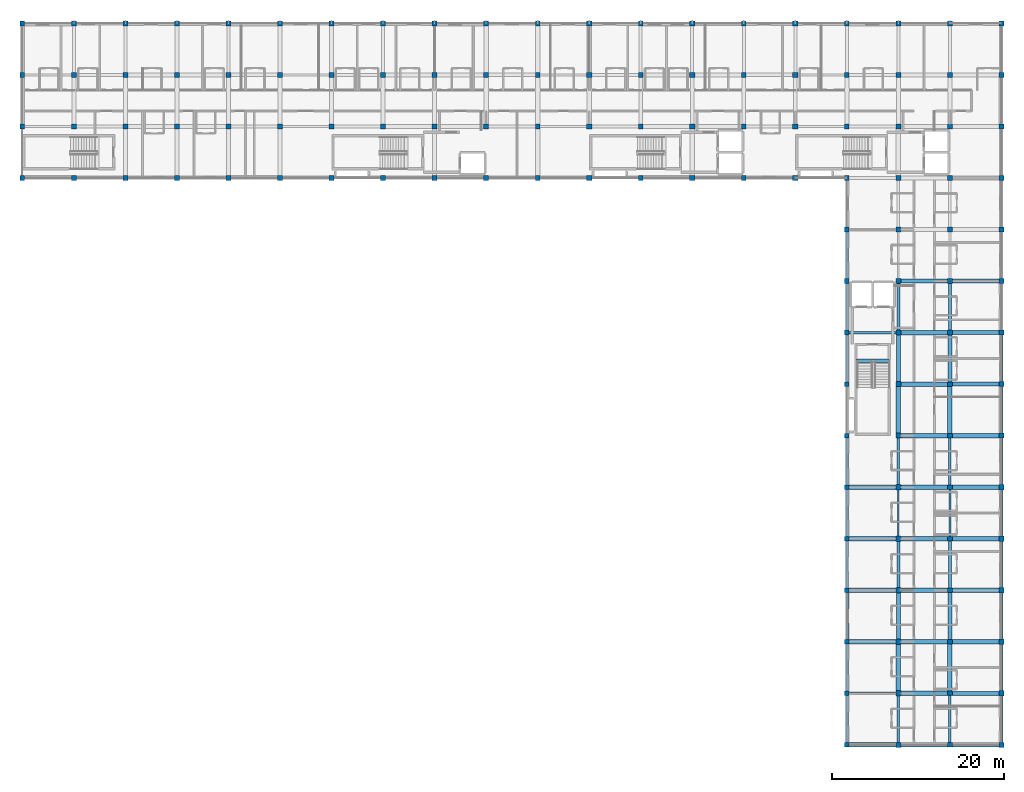
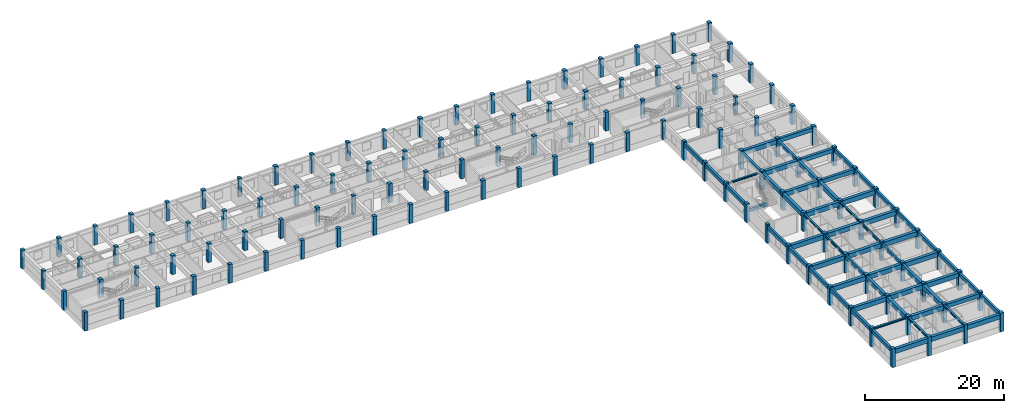
# One storey, part 1 of 22: 124 columns, 63 beams.
"""IFC4 building model written with IfcOpenShell, lengths in metres."""

from ifc_helpers import new_model, si_unit, direction, frame, origin, origin_2d, place, context, subcontext, project, spatial, rectangle, i_section, extrude, material, material_profile, profile_set, type_object, element, save


model = new_model("IFC4")

# Units and contexts
model_context = context("Model", 3, precision=1e-05, world=origin(), true_north=direction((0.0, 1.0)))
body_context = subcontext(model_context, "Body", "Model", "MODEL_VIEW")
ifc_project = project(units=[si_unit("LENGTHUNIT", "METRE"), si_unit("AREAUNIT", "SQUARE_METRE"), si_unit("VOLUMEUNIT", "CUBIC_METRE"), si_unit("PLANEANGLEUNIT", "RADIAN"), si_unit("MASSUNIT", "GRAM", prefix="KILO"), si_unit("THERMODYNAMICTEMPERATUREUNIT", "KELVIN"), si_unit("POWERUNIT", "WATT")], contexts=[model_context])

# Site, building, storey
site_placement = place(None, origin())
site = spatial("IfcSite", under=ifc_project, at=site_placement, CompositionType="ELEMENT")
building_placement = place(site_placement, origin())
building = spatial("IfcBuilding", under=site, at=building_placement, Name="Phaisarnlok Congress Hotel", CompositionType="ELEMENT")
storey_placement = place(building_placement, frame((0.0, 0.0, 28.199951171875)))
storey = spatial("IfcBuildingStorey", under=building, at=storey_placement, Name="L06", CompositionType="ELEMENT", Elevation=28.199951171875)

# Columns
ifc_material_1 = material(Name="Concrete C50/60", Category="concrete")
ifc_material_profile_1 = material_profile(ifc_material_1, rectangle(XDim=0.550048828125, YDim=0.550048828125, at=origin_2d()), Name="RC 550x550")
ifc_profile_set_1 = profile_set([ifc_material_profile_1], Name="Concrete C50/60")
column_type_1 = type_object("IfcColumnType", Name="COL-RC-550", PredefinedType="COLUMN", material=ifc_profile_set_1)
for number, where, z_axis, x_axis, name in (
    (1, (66.0, 108.0, 0.0), (0.0, 0.0, 1.0), (1.0, 0.0, 0.0), "Column C-02 (L06)"),
    (2, (66.0, 114.0, 0.0), (0.0, 0.0, 1.0), (1.0, 0.0, 0.0), "Column C-02 (L06)"),
    (3, (66.0, 120.0, 0.0), (0.0, 0.0, 1.0), (1.0, 0.0, 0.0), "Column C-02 (L06)"),
    (4, (78.0, 108.0, 0.0), (0.0, 0.0, 1.0), (1.0, 0.0, 0.0), "Column C-02 (L06)"),
    (5, (78.0, 114.0, 0.0), (0.0, 0.0, 1.0), (1.0, 0.0, 0.0), "Column C-02 (L06)"),
    (6, (78.0, 120.0, 0.0), (0.0, 0.0, 1.0), (1.0, 0.0, 0.0), "Column C-02 (L06)"),
    (7, (90.0, 108.0, 0.0), (0.0, 0.0, 1.0), (1.0, 0.0, 0.0), "Column C-02 (L06)"),
    (8, (90.0, 114.0, 0.0), (0.0, 0.0, 1.0), (1.0, 0.0, 0.0), "Column C-02 (L06)"),
    (9, (90.0, 120.0, 0.0), (0.0, 0.0, 1.0), (1.0, 0.0, 0.0), "Column C-02 (L06)"),
    (10, (102.0, 108.0, 0.0), (0.0, 0.0, 1.0), (1.0, 0.0, 0.0), "Column C-02 (L06)"),
    (11, (102.0, 114.0, 0.0), (0.0, 0.0, 1.0), (1.0, 0.0, 0.0), "Column C-02 (L06)"),
    (12, (102.0, 120.0, 0.0), (0.0, 0.0, 1.0), (1.0, 0.0, 0.0), "Column C-02 (L06)"),
    (13, (114.0, 108.0, 0.0), (0.0, 0.0, 1.0), (1.0, 0.0, 0.0), "Column C-02 (L06)"),
    (14, (114.0, 114.0, 0.0), (0.0, 0.0, 1.0), (1.0, 0.0, 0.0), "Column C-02 (L06)"),
    (15, (114.0, 120.0, 0.0), (0.0, 0.0, 1.0), (1.0, 0.0, 0.0), "Column C-02 (L06)"),
    (16, (126.0, 108.0, 0.0), (0.0, 0.0, 1.0), (1.0, 0.0, 0.0), "Column C-02 (L06)"),
    (17, (126.0, 114.0, 0.0), (0.0, 0.0, 1.0), (1.0, 0.0, 0.0), "Column C-02 (L06)"),
    (18, (126.0, 120.0, 0.0), (0.0, 0.0, 1.0), (1.0, 0.0, 0.0), "Column C-02 (L06)"),
    (19, (138.0, 108.0, 0.0), (0.0, 0.0, 1.0), (1.0, 0.0, 0.0), "Column C-02 (L06)"),
    (20, (138.0, 114.0, 0.0), (0.0, 0.0, 1.0), (1.0, 0.0, 0.0), "Column C-02 (L06)"),
    (21, (138.0, 120.0, 0.0), (0.0, 0.0, 1.0), (1.0, 0.0, 0.0), "Column C-02 (L06)"),
    (22, (150.0, 108.0, 0.0), (0.0, 0.0, 1.0), (1.0, 0.0, 0.0), "Column C-02 (L06)"),
    (23, (150.0, 114.0, 0.0), (0.0, 0.0, 1.0), (1.0, 0.0, 0.0), "Column C-02 (L06)"),
    (24, (150.0, 120.0, 0.0), (0.0, 0.0, 1.0), (1.0, 0.0, 0.0), "Column C-02 (L06)"),
    (25, (162.0, 42.0, 0.0), (0.0, 0.0, 1.0), (1.0, 0.0, 0.0), "Column C-02 (L06)"),
    (26, (162.0, 48.0, 0.0), (0.0, 0.0, 1.0), (1.0, 0.0, 0.0), "Column C-02 (L06)"),
    (27, (162.0, 54.0, 0.0), (0.0, 0.0, 1.0), (1.0, 0.0, 0.0), "Column C-02 (L06)"),
    (28, (162.0, 60.0, 0.0), (0.0, 0.0, 1.0), (1.0, 0.0, 0.0), "Column C-02 (L06)"),
    (29, (162.0, 66.0, 0.0), (0.0, 0.0, 1.0), (1.0, 0.0, 0.0), "Column C-02 (L06)"),
    (30, (162.0, 72.0, 0.0), (0.0, 0.0, 1.0), (1.0, 0.0, 0.0), "Column C-02 (L06)"),
    (31, (162.0, 78.0, 0.0), (0.0, 0.0, 1.0), (1.0, 0.0, 0.0), "Column C-02 (L06)"),
    (32, (162.0, 84.0, 0.0), (0.0, 0.0, 1.0), (1.0, 0.0, 0.0), "Column C-02 (L06)"),
    (33, (162.0, 90.0, 0.0), (0.0, 0.0, 1.0), (1.0, 0.0, 0.0), "Column C-02 (L06)"),
    (34, (162.0, 96.0, 0.0), (0.0, 0.0, 1.0), (1.0, 0.0, 0.0), "Column C-02 (L06)"),
    (35, (162.0, 102.0, 0.0), (0.0, 0.0, 1.0), (1.0, 0.0, 0.0), "Column C-02 (L06)"),
    (36, (162.0, 108.0, 0.0), (0.0, 0.0, 1.0), (1.0, 0.0, 0.0), "Column C-02 (L06)"),
    (37, (162.0, 114.0, 0.0), (0.0, 0.0, 1.0), (1.0, 0.0, 0.0), "Column C-02 (L06)"),
    (38, (162.0, 120.0, 0.0), (0.0, 0.0, 1.0), (1.0, 0.0, 0.0), "Column C-02 (L06)"),
    (39, (174.0, 42.0, 0.0), (0.0, 0.0, 1.0), (1.0, 0.0, 0.0), "Column C-02 (L06)"),
    (40, (174.0, 48.0, 0.0), (0.0, 0.0, 1.0), (1.0, 0.0, 0.0), "Column C-02 (L06)"),
    (41, (174.0, 54.0, 0.0), (0.0, 0.0, 1.0), (1.0, 0.0, 0.0), "Column C-02 (L06)"),
    (42, (174.0, 60.0, 0.0), (0.0, 0.0, 1.0), (1.0, 0.0, 0.0), "Column C-02 (L06)"),
    (43, (174.0, 66.0, 0.0), (0.0, 0.0, 1.0), (1.0, 0.0, 0.0), "Column C-02 (L06)"),
    (44, (174.0, 72.0, 0.0), (0.0, 0.0, 1.0), (1.0, 0.0, 0.0), "Column C-02 (L06)"),
    (45, (174.0, 78.0, 0.0), (0.0, 0.0, 1.0), (1.0, 0.0, 0.0), "Column C-02 (L06)"),
    (46, (174.0, 84.0, 0.0), (0.0, 0.0, 1.0), (1.0, 0.0, 0.0), "Column C-02 (L06)"),
    (47, (174.0, 90.0, 0.0), (0.0, 0.0, 1.0), (1.0, 0.0, 0.0), "Column C-02 (L06)"),
    (48, (174.0, 96.0, 0.0), (0.0, 0.0, 1.0), (1.0, 0.0, 0.0), "Column C-02 (L06)"),
    (49, (174.0, 102.0, 0.0), (0.0, 0.0, 1.0), (1.0, 0.0, 0.0), "Column C-02 (L06)"),
    (50, (174.0, 108.0, 0.0), (0.0, 0.0, 1.0), (1.0, 0.0, 0.0), "Column C-02 (L06)"),
    (51, (174.0, 114.0, 0.0), (0.0, 0.0, 1.0), (1.0, 0.0, 0.0), "Column C-02 (L06)"),
    (52, (174.0, 120.0, 0.0), (0.0, 0.0, 1.0), (1.0, 0.0, 0.0), "Column C-02 (L06)"),
):
    element("IfcColumn", number, at=place(storey_placement, frame(where, z_axis=z_axis, x_axis=x_axis)), inside=storey, type_object=column_type_1, Name=name, PredefinedType="COLUMN", context=body_context, shape_type="SweptSolid", body=[
        extrude(rectangle(XDim=0.550048828125, YDim=0.550048828125, at=origin_2d()), origin(), (0.0, 0.0, 1.0), 3.300048828125),
    ])
ifc_material_profile_2 = material_profile(ifc_material_1, rectangle(XDim=0.550048828125, YDim=0.550048828125, at=origin_2d()), Name="RC 550x550")
ifc_profile_set_2 = profile_set([ifc_material_profile_2], Name="Concrete C50/60")
column_type_2 = type_object("IfcColumnType", Name="COL-RC-550-EXT", PredefinedType="COLUMN", material=ifc_profile_set_2)
for number, where, z_axis, x_axis, name in (
    (53, (66.0, 126.0, 0.0), (0.0, 0.0, 1.0), (1.0, 0.0, 0.0), "Column C-02E (L06)"),
    (54, (78.0, 126.0, 0.0), (0.0, 0.0, 1.0), (1.0, 0.0, 0.0), "Column C-02E (L06)"),
    (55, (90.0, 126.0, 0.0), (0.0, 0.0, 1.0), (1.0, 0.0, 0.0), "Column C-02E (L06)"),
    (56, (102.0, 126.0, 0.0), (0.0, 0.0, 1.0), (1.0, 0.0, 0.0), "Column C-02E (L06)"),
    (57, (114.0, 126.0, 0.0), (0.0, 0.0, 1.0), (1.0, 0.0, 0.0), "Column C-02E (L06)"),
    (58, (126.0, 126.0, 0.0), (0.0, 0.0, 1.0), (1.0, 0.0, 0.0), "Column C-02E (L06)"),
    (59, (138.0, 126.0, 0.0), (0.0, 0.0, 1.0), (1.0, 0.0, 0.0), "Column C-02E (L06)"),
    (60, (150.0, 126.0, 0.0), (0.0, 0.0, 1.0), (1.0, 0.0, 0.0), "Column C-02E (L06)"),
    (61, (162.0, 126.0, 0.0), (0.0, 0.0, 1.0), (1.0, 0.0, 0.0), "Column C-02E (L06)"),
    (62, (174.0, 126.0, 0.0), (0.0, 0.0, 1.0), (1.0, 0.0, 0.0), "Column C-02E (L06)"),
):
    element("IfcColumn", number, at=place(storey_placement, frame(where, z_axis=z_axis, x_axis=x_axis)), inside=storey, type_object=column_type_2, Name=name, PredefinedType="COLUMN", context=body_context, shape_type="SweptSolid", body=[
        extrude(rectangle(XDim=0.550048828125, YDim=0.550048828125, at=origin_2d()), origin(), (0.0, 0.0, 1.0), 3.300048828125),
    ])
ifc_material_profile_3 = material_profile(ifc_material_1, rectangle(XDim=0.60009765625, YDim=0.60009765625, at=origin_2d()), Name="RC 600x600")
ifc_profile_set_3 = profile_set([ifc_material_profile_3], Name="Concrete C50/60")
column_type_3 = type_object("IfcColumnType", Name="COL-RC-600", PredefinedType="COLUMN", material=ifc_profile_set_3)
for number, where, z_axis, x_axis, name in (
    (63, (72.0, 108.0, 0.0), (0.0, 0.0, 1.0), (1.0, 0.0, 0.0), "Column C-03 (L06)"),
    (64, (72.0, 114.0, 0.0), (0.0, 0.0, 1.0), (1.0, 0.0, 0.0), "Column C-03 (L06)"),
    (65, (72.0, 120.0, 0.0), (0.0, 0.0, 1.0), (1.0, 0.0, 0.0), "Column C-03 (L06)"),
    (66, (84.0, 108.0, 0.0), (0.0, 0.0, 1.0), (1.0, 0.0, 0.0), "Column C-03 (L06)"),
    (67, (84.0, 114.0, 0.0), (0.0, 0.0, 1.0), (1.0, 0.0, 0.0), "Column C-03 (L06)"),
    (68, (84.0, 120.0, 0.0), (0.0, 0.0, 1.0), (1.0, 0.0, 0.0), "Column C-03 (L06)"),
    (69, (96.0, 108.0, 0.0), (0.0, 0.0, 1.0), (1.0, 0.0, 0.0), "Column C-03 (L06)"),
    (70, (96.0, 114.0, 0.0), (0.0, 0.0, 1.0), (1.0, 0.0, 0.0), "Column C-03 (L06)"),
    (71, (96.0, 120.0, 0.0), (0.0, 0.0, 1.0), (1.0, 0.0, 0.0), "Column C-03 (L06)"),
    (72, (108.0, 108.0, 0.0), (0.0, 0.0, 1.0), (1.0, 0.0, 0.0), "Column C-03 (L06)"),
    (73, (108.0, 114.0, 0.0), (0.0, 0.0, 1.0), (1.0, 0.0, 0.0), "Column C-03 (L06)"),
    (74, (108.0, 120.0, 0.0), (0.0, 0.0, 1.0), (1.0, 0.0, 0.0), "Column C-03 (L06)"),
    (75, (120.0, 108.0, 0.0), (0.0, 0.0, 1.0), (1.0, 0.0, 0.0), "Column C-03 (L06)"),
    (76, (120.0, 114.0, 0.0), (0.0, 0.0, 1.0), (1.0, 0.0, 0.0), "Column C-03 (L06)"),
    (77, (120.0, 120.0, 0.0), (0.0, 0.0, 1.0), (1.0, 0.0, 0.0), "Column C-03 (L06)"),
    (78, (132.0, 108.0, 0.0), (0.0, 0.0, 1.0), (1.0, 0.0, 0.0), "Column C-03 (L06)"),
    (79, (132.0, 114.0, 0.0), (0.0, 0.0, 1.0), (1.0, 0.0, 0.0), "Column C-03 (L06)"),
    (80, (132.0, 120.0, 0.0), (0.0, 0.0, 1.0), (1.0, 0.0, 0.0), "Column C-03 (L06)"),
    (81, (144.0, 108.0, 0.0), (0.0, 0.0, 1.0), (1.0, 0.0, 0.0), "Column C-03 (L06)"),
    (82, (144.0, 114.0, 0.0), (0.0, 0.0, 1.0), (1.0, 0.0, 0.0), "Column C-03 (L06)"),
    (83, (144.0, 120.0, 0.0), (0.0, 0.0, 1.0), (1.0, 0.0, 0.0), "Column C-03 (L06)"),
    (84, (156.0, 108.0, 0.0), (0.0, 0.0, 1.0), (1.0, 0.0, 0.0), "Column C-03 (L06)"),
    (85, (156.0, 114.0, 0.0), (0.0, 0.0, 1.0), (1.0, 0.0, 0.0), "Column C-03 (L06)"),
    (86, (156.0, 120.0, 0.0), (0.0, 0.0, 1.0), (1.0, 0.0, 0.0), "Column C-03 (L06)"),
    (87, (168.0, 42.0, 0.0), (0.0, 0.0, 1.0), (1.0, 0.0, 0.0), "Column C-03 (L06)"),
    (88, (168.0, 48.0, 0.0), (0.0, 0.0, 1.0), (1.0, 0.0, 0.0), "Column C-03 (L06)"),
    (89, (168.0, 54.0, 0.0), (0.0, 0.0, 1.0), (1.0, 0.0, 0.0), "Column C-03 (L06)"),
    (90, (168.0, 60.0, 0.0), (0.0, 0.0, 1.0), (1.0, 0.0, 0.0), "Column C-03 (L06)"),
    (91, (168.0, 66.0, 0.0), (0.0, 0.0, 1.0), (1.0, 0.0, 0.0), "Column C-03 (L06)"),
    (92, (168.0, 72.0, 0.0), (0.0, 0.0, 1.0), (1.0, 0.0, 0.0), "Column C-03 (L06)"),
    (93, (168.0, 78.0, 0.0), (0.0, 0.0, 1.0), (1.0, 0.0, 0.0), "Column C-03 (L06)"),
    (94, (168.0, 84.0, 0.0), (0.0, 0.0, 1.0), (1.0, 0.0, 0.0), "Column C-03 (L06)"),
    (95, (168.0, 90.0, 0.0), (0.0, 0.0, 1.0), (1.0, 0.0, 0.0), "Column C-03 (L06)"),
    (96, (168.0, 96.0, 0.0), (0.0, 0.0, 1.0), (1.0, 0.0, 0.0), "Column C-03 (L06)"),
    (97, (168.0, 102.0, 0.0), (0.0, 0.0, 1.0), (1.0, 0.0, 0.0), "Column C-03 (L06)"),
    (98, (168.0, 108.0, 0.0), (0.0, 0.0, 1.0), (1.0, 0.0, 0.0), "Column C-03 (L06)"),
    (99, (168.0, 114.0, 0.0), (0.0, 0.0, 1.0), (1.0, 0.0, 0.0), "Column C-03 (L06)"),
    (100, (168.0, 120.0, 0.0), (0.0, 0.0, 1.0), (1.0, 0.0, 0.0), "Column C-03 (L06)"),
):
    element("IfcColumn", number, at=place(storey_placement, frame(where, z_axis=z_axis, x_axis=x_axis)), inside=storey, type_object=column_type_3, Name=name, PredefinedType="COLUMN", context=body_context, shape_type="SweptSolid", body=[
        extrude(rectangle(XDim=0.60009765625, YDim=0.60009765625, at=origin_2d()), origin(), (0.0, 0.0, 1.0), 3.300048828125),
    ])
ifc_material_profile_4 = material_profile(ifc_material_1, rectangle(XDim=0.60009765625, YDim=0.60009765625, at=origin_2d()), Name="RC 600x600")
ifc_profile_set_4 = profile_set([ifc_material_profile_4], Name="Concrete C50/60")
column_type_4 = type_object("IfcColumnType", Name="COL-RC-600-EXT", PredefinedType="COLUMN", material=ifc_profile_set_4)
for number, where, z_axis, x_axis, name in (
    (101, (72.0, 126.0, 0.0), (0.0, 0.0, 1.0), (1.0, 0.0, 0.0), "Column C-03E (L06)"),
    (102, (84.0, 126.0, 0.0), (0.0, 0.0, 1.0), (1.0, 0.0, 0.0), "Column C-03E (L06)"),
    (103, (96.0, 126.0, 0.0), (0.0, 0.0, 1.0), (1.0, 0.0, 0.0), "Column C-03E (L06)"),
    (104, (108.0, 126.0, 0.0), (0.0, 0.0, 1.0), (1.0, 0.0, 0.0), "Column C-03E (L06)"),
    (105, (120.0, 126.0, 0.0), (0.0, 0.0, 1.0), (1.0, 0.0, 0.0), "Column C-03E (L06)"),
    (106, (132.0, 126.0, 0.0), (0.0, 0.0, 1.0), (1.0, 0.0, 0.0), "Column C-03E (L06)"),
    (107, (144.0, 126.0, 0.0), (0.0, 0.0, 1.0), (1.0, 0.0, 0.0), "Column C-03E (L06)"),
    (108, (156.0, 126.0, 0.0), (0.0, 0.0, 1.0), (1.0, 0.0, 0.0), "Column C-03E (L06)"),
    (109, (168.0, 126.0, 0.0), (0.0, 0.0, 1.0), (1.0, 0.0, 0.0), "Column C-03E (L06)"),
    (110, (180.0, 42.0, 0.0), (0.0, 0.0, 1.0), (1.0, 0.0, 0.0), "Column C-03E (L06)"),
    (111, (180.0, 48.0, 0.0), (0.0, 0.0, 1.0), (1.0, 0.0, 0.0), "Column C-03E (L06)"),
    (112, (180.0, 54.0, 0.0), (0.0, 0.0, 1.0), (1.0, 0.0, 0.0), "Column C-03E (L06)"),
    (113, (180.0, 60.0, 0.0), (0.0, 0.0, 1.0), (1.0, 0.0, 0.0), "Column C-03E (L06)"),
    (114, (180.0, 66.0, 0.0), (0.0, 0.0, 1.0), (1.0, 0.0, 0.0), "Column C-03E (L06)"),
    (115, (180.0, 72.0, 0.0), (0.0, 0.0, 1.0), (1.0, 0.0, 0.0), "Column C-03E (L06)"),
    (116, (180.0, 78.0, 0.0), (0.0, 0.0, 1.0), (1.0, 0.0, 0.0), "Column C-03E (L06)"),
    (117, (180.0, 84.0, 0.0), (0.0, 0.0, 1.0), (1.0, 0.0, 0.0), "Column C-03E (L06)"),
    (118, (180.0, 90.0, 0.0), (0.0, 0.0, 1.0), (1.0, 0.0, 0.0), "Column C-03E (L06)"),
    (119, (180.0, 96.0, 0.0), (0.0, 0.0, 1.0), (1.0, 0.0, 0.0), "Column C-03E (L06)"),
    (120, (180.0, 102.0, 0.0), (0.0, 0.0, 1.0), (1.0, 0.0, 0.0), "Column C-03E (L06)"),
    (121, (180.0, 108.0, 0.0), (0.0, 0.0, 1.0), (1.0, 0.0, 0.0), "Column C-03E (L06)"),
    (122, (180.0, 114.0, 0.0), (0.0, 0.0, 1.0), (1.0, 0.0, 0.0), "Column C-03E (L06)"),
    (123, (180.0, 120.0, 0.0), (0.0, 0.0, 1.0), (1.0, 0.0, 0.0), "Column C-03E (L06)"),
    (124, (180.0, 126.0, 0.0), (0.0, 0.0, 1.0), (1.0, 0.0, 0.0), "Column C-03E (L06)"),
):
    element("IfcColumn", number, at=place(storey_placement, frame(where, z_axis=z_axis, x_axis=x_axis)), inside=storey, type_object=column_type_4, Name=name, PredefinedType="COLUMN", context=body_context, shape_type="SweptSolid", body=[
        extrude(rectangle(XDim=0.60009765625, YDim=0.60009765625, at=origin_2d()), origin(), (0.0, 0.0, 1.0), 3.300048828125),
    ])

# Beams
ifc_material_2 = material(Name="Concrete C40/50", Category="concrete")
ifc_material_profile_5 = material_profile(ifc_material_2, rectangle(XDim=0.35009765625, YDim=0.550048828125, at=origin_2d()), Name="RC 350x550")
ifc_profile_set_5 = profile_set([ifc_material_profile_5], Name="Concrete C40/50")
beam_type_1 = type_object("IfcBeamType", Name="BM-RC-350x550", PredefinedType="BEAM", material=ifc_profile_set_5)
for number, where, z_axis, x_axis, name in (
    (125, (168.0, 60.294921875, 2.804931640625), (0.0, 1.0, 0.0), (-1.0, 0.0, 0.0), "Beam B-01"),
    (126, (168.0, 90.294921875, 2.804931640625), (0.0, 1.0, 0.0), (-1.0, 0.0, 0.0), "Beam B-01"),
):
    element("IfcBeam", number, at=place(storey_placement, frame(where, z_axis=z_axis, x_axis=x_axis)), inside=storey, type_object=beam_type_1, Name=name, PredefinedType="BEAM", context=body_context, shape_type="SweptSolid", body=[
        extrude(rectangle(XDim=0.35009765625, YDim=0.550048828125, at=origin_2d()), origin(), (0.0, 0.0, 1.0), 5.41015625),
    ])
for number, where, z_axis, x_axis, name in (
    (127, (174.0, 60.27001953125, 2.804931640625), (0.0, 1.0, 0.0), (-1.0, 0.0, 0.0), "Beam B-01"),
    (128, (174.0, 90.27001953125, 2.804931640625), (0.0, 1.0, 0.0), (-1.0, 0.0, 0.0), "Beam B-01"),
):
    element("IfcBeam", number, at=place(storey_placement, frame(where, z_axis=z_axis, x_axis=x_axis)), inside=storey, type_object=beam_type_1, Name=name, PredefinedType="BEAM", context=body_context, shape_type="SweptSolid", body=[
        extrude(rectangle(XDim=0.35009765625, YDim=0.550048828125, at=origin_2d()), origin(), (0.0, 0.0, 1.0), 5.4599609375),
    ])
ifc_material_profile_6 = material_profile(ifc_material_2, rectangle(XDim=0.39990234375, YDim=0.60009765625, at=origin_2d()), Name="RC 400x600")
ifc_profile_set_6 = profile_set([ifc_material_profile_6], Name="Concrete C40/50")
beam_type_2 = type_object("IfcBeamType", Name="BM-RC-400x600", PredefinedType="BEAM", material=ifc_profile_set_6)
beam_1_placement = place(storey_placement, frame((163.080078125, 86.719970703125, -0.300048828125), z_axis=(1.0, 0.0, 0.0), x_axis=(0.0, 1.0, 0.0)))
element("IfcBeam", 129, at=beam_1_placement, inside=storey, type_object=beam_type_2, Name="Stair landing header beam B-02 (CORE-3 L06)", PredefinedType="BEAM", context=body_context, shape_type="SweptSolid", body=[
    extrude(rectangle(XDim=0.39990234375, YDim=0.60009765625, at=origin_2d()), origin(), (0.0, 0.0, 1.0), 3.83984375),
])
ifc_material_profile_7 = material_profile(ifc_material_2, rectangle(XDim=0.449951171875, YDim=0.699951171875, at=origin_2d()), Name="RC 450x700")
ifc_profile_set_7 = profile_set([ifc_material_profile_7], Name="Concrete C40/50")
beam_type_3 = type_object("IfcBeamType", Name="BM-RC-450x700", PredefinedType="BEAM", material=ifc_profile_set_7)
for number, where, z_axis, x_axis, name in (
    (130, (168.0, 54.294921875, 2.72998046875), (0.0, 1.0, 0.0), (-1.0, 0.0, 0.0), "Beam B-03"),
    (131, (168.0, 84.294921875, 2.72998046875), (0.0, 1.0, 0.0), (-1.0, 0.0, 0.0), "Beam B-03"),
):
    element("IfcBeam", number, at=place(storey_placement, frame(where, z_axis=z_axis, x_axis=x_axis)), inside=storey, type_object=beam_type_3, Name=name, PredefinedType="BEAM", context=body_context, shape_type="SweptSolid", body=[
        extrude(rectangle(XDim=0.449951171875, YDim=0.699951171875, at=origin_2d()), origin(), (0.0, 0.0, 1.0), 5.41015625),
    ])
beam_2_placement = place(storey_placement, frame((174.27001953125, 48.0, 2.72998046875), z_axis=(1.0, 0.0, 0.0), x_axis=(0.0, 1.0, 0.0)))
element("IfcBeam", 132, at=beam_2_placement, inside=storey, type_object=beam_type_3, Name="Beam B-03", PredefinedType="BEAM", context=body_context, shape_type="SweptSolid", body=[
    extrude(rectangle(XDim=0.449951171875, YDim=0.699951171875, at=origin_2d()), origin(), (0.0, 0.0, 1.0), 5.43505859375),
])
beam_3_placement = place(storey_placement, frame((174.0, 54.27001953125, 2.72998046875), z_axis=(0.0, 1.0, 0.0), x_axis=(-1.0, 0.0, 0.0)))
element("IfcBeam", 133, at=beam_3_placement, inside=storey, type_object=beam_type_3, Name="Beam B-03", PredefinedType="BEAM", context=body_context, shape_type="SweptSolid", body=[
    extrude(rectangle(XDim=0.449951171875, YDim=0.699951171875, at=origin_2d()), origin(), (0.0, 0.0, 1.0), 5.4599609375),
])
beam_4_placement = place(storey_placement, frame((174.27001953125, 84.0, 2.72998046875), z_axis=(1.0, 0.0, 0.0), x_axis=(0.0, 1.0, 0.0)))
element("IfcBeam", 134, at=beam_4_placement, inside=storey, type_object=beam_type_3, Name="Beam B-03", PredefinedType="BEAM", context=body_context, shape_type="SweptSolid", body=[
    extrude(rectangle(XDim=0.449951171875, YDim=0.699951171875, at=origin_2d()), origin(), (0.0, 0.0, 1.0), 5.43505859375),
])
beam_5_placement = place(storey_placement, frame((174.0, 84.27001953125, 2.72998046875), z_axis=(0.0, 1.0, 0.0), x_axis=(-1.0, 0.0, 0.0)))
element("IfcBeam", 135, at=beam_5_placement, inside=storey, type_object=beam_type_3, Name="Beam B-03", PredefinedType="BEAM", context=body_context, shape_type="SweptSolid", body=[
    extrude(rectangle(XDim=0.449951171875, YDim=0.699951171875, at=origin_2d()), origin(), (0.0, 0.0, 1.0), 5.4599609375),
])
for number, where, z_axis, x_axis, name in (
    (136, (174.27001953125, 90.0, 2.72998046875), (1.0, 0.0, 0.0), (0.0, 1.0, 0.0), "Beam B-03"),
    (137, (174.27001953125, 96.0, 2.72998046875), (1.0, 0.0, 0.0), (0.0, 1.0, 0.0), "Beam B-03"),
):
    element("IfcBeam", number, at=place(storey_placement, frame(where, z_axis=z_axis, x_axis=x_axis)), inside=storey, type_object=beam_type_3, Name=name, PredefinedType="BEAM", context=body_context, shape_type="SweptSolid", body=[
        extrude(rectangle(XDim=0.449951171875, YDim=0.699951171875, at=origin_2d()), origin(), (0.0, 0.0, 1.0), 5.43505859375),
    ])
ifc_material_profile_8 = material_profile(ifc_material_2, rectangle(XDim=0.5, YDim=0.800048828125, at=origin_2d()), Name="RC 500x800")
ifc_profile_set_8 = profile_set([ifc_material_profile_8], Name="Concrete C40/50")
beam_type_4 = type_object("IfcBeamType", Name="BM-RC-500x800", PredefinedType="BEAM", material=ifc_profile_set_8)
for number, where, z_axis, x_axis, name in (
    (138, (162.27001953125, 54.0, 2.679931640625), (1.0, 0.0, 0.0), (0.0, 1.0, 0.0), "Beam B-04"),
    (139, (162.27001953125, 60.0, 2.679931640625), (1.0, 0.0, 0.0), (0.0, 1.0, 0.0), "Beam B-04"),
    (140, (162.27001953125, 66.0, 2.679931640625), (1.0, 0.0, 0.0), (0.0, 1.0, 0.0), "Beam B-04"),
    (141, (162.27001953125, 72.0, 2.679931640625), (1.0, 0.0, 0.0), (0.0, 1.0, 0.0), "Beam B-04"),
    (142, (168.294921875, 48.0, 2.679931640625), (1.0, 0.0, 0.0), (0.0, 1.0, 0.0), "Beam B-04"),
):
    element("IfcBeam", number, at=place(storey_placement, frame(where, z_axis=z_axis, x_axis=x_axis)), inside=storey, type_object=beam_type_4, Name=name, PredefinedType="BEAM", context=body_context, shape_type="SweptSolid", body=[
        extrude(rectangle(XDim=0.5, YDim=0.800048828125, at=origin_2d()), origin(), (0.0, 0.0, 1.0), 5.43505859375),
    ])
beam_6_placement = place(storey_placement, frame((168.0, 48.294921875, 2.679931640625), z_axis=(0.0, 1.0, 0.0), x_axis=(-1.0, 0.0, 0.0)))
element("IfcBeam", 143, at=beam_6_placement, inside=storey, type_object=beam_type_4, Name="Beam B-04", PredefinedType="BEAM", context=body_context, shape_type="SweptSolid", body=[
    extrude(rectangle(XDim=0.5, YDim=0.800048828125, at=origin_2d()), origin(), (0.0, 0.0, 1.0), 5.41015625),
])
for number, where, z_axis, x_axis, name in (
    (144, (168.294921875, 54.0, 2.679931640625), (1.0, 0.0, 0.0), (0.0, 1.0, 0.0), "Beam B-04"),
    (145, (168.294921875, 60.0, 2.679931640625), (1.0, 0.0, 0.0), (0.0, 1.0, 0.0), "Beam B-04"),
    (146, (168.294921875, 66.0, 2.679931640625), (1.0, 0.0, 0.0), (0.0, 1.0, 0.0), "Beam B-04"),
    (147, (168.294921875, 72.0, 2.679931640625), (1.0, 0.0, 0.0), (0.0, 1.0, 0.0), "Beam B-04"),
    (148, (168.294921875, 78.0, 2.679931640625), (1.0, 0.0, 0.0), (0.0, 1.0, 0.0), "Beam B-04"),
):
    element("IfcBeam", number, at=place(storey_placement, frame(where, z_axis=z_axis, x_axis=x_axis)), inside=storey, type_object=beam_type_4, Name=name, PredefinedType="BEAM", context=body_context, shape_type="SweptSolid", body=[
        extrude(rectangle(XDim=0.5, YDim=0.800048828125, at=origin_2d()), origin(), (0.0, 0.0, 1.0), 5.43505859375),
    ])
beam_7_placement = place(storey_placement, frame((168.0, 78.294921875, 2.679931640625), z_axis=(0.0, 1.0, 0.0), x_axis=(-1.0, 0.0, 0.0)))
element("IfcBeam", 149, at=beam_7_placement, inside=storey, type_object=beam_type_4, Name="Beam B-04", PredefinedType="BEAM", context=body_context, shape_type="SweptSolid", body=[
    extrude(rectangle(XDim=0.5, YDim=0.800048828125, at=origin_2d()), origin(), (0.0, 0.0, 1.0), 5.41015625),
])
for number, where, z_axis, x_axis, name in (
    (150, (168.294921875, 84.0, 2.679931640625), (1.0, 0.0, 0.0), (0.0, 1.0, 0.0), "Beam B-04"),
    (151, (168.294921875, 90.0, 2.679931640625), (1.0, 0.0, 0.0), (0.0, 1.0, 0.0), "Beam B-04"),
    (152, (168.294921875, 96.0, 2.679931640625), (1.0, 0.0, 0.0), (0.0, 1.0, 0.0), "Beam B-04"),
):
    element("IfcBeam", number, at=place(storey_placement, frame(where, z_axis=z_axis, x_axis=x_axis)), inside=storey, type_object=beam_type_4, Name=name, PredefinedType="BEAM", context=body_context, shape_type="SweptSolid", body=[
        extrude(rectangle(XDim=0.5, YDim=0.800048828125, at=origin_2d()), origin(), (0.0, 0.0, 1.0), 5.43505859375),
    ])
beam_8_placement = place(storey_placement, frame((174.0, 48.27001953125, 2.679931640625), z_axis=(0.0, 1.0, 0.0), x_axis=(-1.0, 0.0, 0.0)))
element("IfcBeam", 153, at=beam_8_placement, inside=storey, type_object=beam_type_4, Name="Beam B-04", PredefinedType="BEAM", context=body_context, shape_type="SweptSolid", body=[
    extrude(rectangle(XDim=0.5, YDim=0.800048828125, at=origin_2d()), origin(), (0.0, 0.0, 1.0), 5.4599609375),
])
for number, where, z_axis, x_axis, name in (
    (154, (174.27001953125, 54.0, 2.679931640625), (1.0, 0.0, 0.0), (0.0, 1.0, 0.0), "Beam B-04"),
    (155, (174.27001953125, 60.0, 2.679931640625), (1.0, 0.0, 0.0), (0.0, 1.0, 0.0), "Beam B-04"),
    (156, (174.27001953125, 66.0, 2.679931640625), (1.0, 0.0, 0.0), (0.0, 1.0, 0.0), "Beam B-04"),
    (157, (174.27001953125, 72.0, 2.679931640625), (1.0, 0.0, 0.0), (0.0, 1.0, 0.0), "Beam B-04"),
    (158, (174.27001953125, 78.0, 2.679931640625), (1.0, 0.0, 0.0), (0.0, 1.0, 0.0), "Beam B-04"),
):
    element("IfcBeam", number, at=place(storey_placement, frame(where, z_axis=z_axis, x_axis=x_axis)), inside=storey, type_object=beam_type_4, Name=name, PredefinedType="BEAM", context=body_context, shape_type="SweptSolid", body=[
        extrude(rectangle(XDim=0.5, YDim=0.800048828125, at=origin_2d()), origin(), (0.0, 0.0, 1.0), 5.43505859375),
    ])
beam_9_placement = place(storey_placement, frame((174.0, 78.27001953125, 2.679931640625), z_axis=(0.0, 1.0, 0.0), x_axis=(-1.0, 0.0, 0.0)))
element("IfcBeam", 159, at=beam_9_placement, inside=storey, type_object=beam_type_4, Name="Beam B-04", PredefinedType="BEAM", context=body_context, shape_type="SweptSolid", body=[
    extrude(rectangle(XDim=0.5, YDim=0.800048828125, at=origin_2d()), origin(), (0.0, 0.0, 1.0), 5.4599609375),
])
ifc_material_3 = material(Name="Steel S355", Category="steel")
ifc_material_profile_9 = material_profile(ifc_material_3, i_section(OverallWidth=0.300048828125, OverallDepth=0.2900390625, WebThickness=0.008544921875, FlangeThickness=0.013916015625, FilletRadius=0.027099609375, at=origin_2d()), Name="HEA 300")
ifc_profile_set_9 = profile_set([ifc_material_profile_9], Name="Steel S355")
beam_type_5 = type_object("IfcBeamType", Name="BM-STL-HEA300", PredefinedType="BEAM", material=ifc_profile_set_9)
for number, where, z_axis, x_axis, name in (
    (160, (162.27001953125, 48.0, 2.93505859375), (1.0, 0.0, 0.0), (0.0, 1.0, 0.0), "Beam SB-05"),
    (161, (162.27001953125, 90.0, 2.93505859375), (1.0, 0.0, 0.0), (0.0, 1.0, 0.0), "Beam SB-05"),
):
    element("IfcBeam", number, at=place(storey_placement, frame(where, z_axis=z_axis, x_axis=x_axis)), inside=storey, type_object=beam_type_5, Name=name, PredefinedType="BEAM", context=body_context, shape_type="SweptSolid", body=[
        extrude(i_section(OverallWidth=0.300048828125, OverallDepth=0.2900390625, WebThickness=0.008544921875, FlangeThickness=0.013916015625, FilletRadius=0.027099609375, at=origin_2d()), origin(), (0.0, 0.0, 1.0), 5.43505859375),
    ])
ifc_material_profile_10 = material_profile(ifc_material_3, i_section(OverallWidth=0.300048828125, OverallDepth=0.340087890625, WebThickness=0.011962890625, FlangeThickness=0.021484375, FilletRadius=0.027099609375, at=origin_2d()), Name="HEB 340")
ifc_profile_set_10 = profile_set([ifc_material_profile_10], Name="Steel S355")
beam_type_6 = type_object("IfcBeamType", Name="BM-STL-HEB340", PredefinedType="BEAM", material=ifc_profile_set_10)
for number, where, z_axis, x_axis, name in (
    (162, (168.0, 42.294921875, 2.91015625), (0.0, 1.0, 0.0), (-1.0, 0.0, 0.0), "Beam SB-07"),
    (163, (168.0, 72.294921875, 2.91015625), (0.0, 1.0, 0.0), (-1.0, 0.0, 0.0), "Beam SB-07"),
):
    element("IfcBeam", number, at=place(storey_placement, frame(where, z_axis=z_axis, x_axis=x_axis)), inside=storey, type_object=beam_type_6, Name=name, PredefinedType="BEAM", context=body_context, shape_type="SweptSolid", body=[
        extrude(i_section(OverallWidth=0.300048828125, OverallDepth=0.340087890625, WebThickness=0.011962890625, FlangeThickness=0.021484375, FilletRadius=0.027099609375, at=origin_2d()), origin(), (0.0, 0.0, 1.0), 5.41015625),
    ])
for number, where, z_axis, x_axis, name in (
    (164, (174.0, 42.27001953125, 2.91015625), (0.0, 1.0, 0.0), (-1.0, 0.0, 0.0), "Beam SB-07"),
    (165, (174.0, 72.27001953125, 2.91015625), (0.0, 1.0, 0.0), (-1.0, 0.0, 0.0), "Beam SB-07"),
):
    element("IfcBeam", number, at=place(storey_placement, frame(where, z_axis=z_axis, x_axis=x_axis)), inside=storey, type_object=beam_type_6, Name=name, PredefinedType="BEAM", context=body_context, shape_type="SweptSolid", body=[
        extrude(i_section(OverallWidth=0.300048828125, OverallDepth=0.340087890625, WebThickness=0.011962890625, FlangeThickness=0.021484375, FilletRadius=0.027099609375, at=origin_2d()), origin(), (0.0, 0.0, 1.0), 5.4599609375),
    ])
ifc_material_profile_11 = material_profile(ifc_material_3, i_section(OverallWidth=0.199951171875, OverallDepth=0.5, WebThickness=0.01025390625, FlangeThickness=0.01611328125, FilletRadius=0.02099609375, at=origin_2d()), Name="IPE 500")
ifc_profile_set_11 = profile_set([ifc_material_profile_11], Name="Steel S355")
beam_type_7 = type_object("IfcBeamType", Name="BM-STL-IPE500", PredefinedType="BEAM", material=ifc_profile_set_11)
beam_10_placement = place(storey_placement, frame((168.0, 66.294921875, 2.830078125), z_axis=(0.0, 1.0, 0.0), x_axis=(-1.0, 0.0, 0.0)))
element("IfcBeam", 166, at=beam_10_placement, inside=storey, type_object=beam_type_7, Name="Beam SB-02", PredefinedType="BEAM", context=body_context, shape_type="SweptSolid", body=[
    extrude(i_section(OverallWidth=0.199951171875, OverallDepth=0.5, WebThickness=0.01025390625, FlangeThickness=0.01611328125, FilletRadius=0.02099609375, at=origin_2d()), origin(), (0.0, 0.0, 1.0), 5.41015625),
])
beam_11_placement = place(storey_placement, frame((174.0, 66.27001953125, 2.830078125), z_axis=(0.0, 1.0, 0.0), x_axis=(-1.0, 0.0, 0.0)))
element("IfcBeam", 167, at=beam_11_placement, inside=storey, type_object=beam_type_7, Name="Beam SB-02", PredefinedType="BEAM", context=body_context, shape_type="SweptSolid", body=[
    extrude(i_section(OverallWidth=0.199951171875, OverallDepth=0.5, WebThickness=0.01025390625, FlangeThickness=0.01611328125, FilletRadius=0.02099609375, at=origin_2d()), origin(), (0.0, 0.0, 1.0), 5.4599609375),
])
ifc_material_profile_12 = material_profile(ifc_material_2, rectangle(XDim=0.35009765625, YDim=0.64990234375, at=origin_2d()), Name="RC 350x650")
ifc_profile_set_12 = profile_set([ifc_material_profile_12], Name="Concrete C40/50")
beam_type_8 = type_object("IfcBeamType", Name="SP-RC-350x650", PredefinedType="SPANDREL", material=ifc_profile_set_12)
for number, where, z_axis, x_axis, name in (
    (168, (162.0, 42.27001953125, 2.755126953125), (0.0, 1.0, 0.0), (-1.0, 0.0, 0.0), "Beam SP-01"),
    (169, (162.0, 48.27001953125, 2.755126953125), (0.0, 1.0, 0.0), (-1.0, 0.0, 0.0), "Beam SP-01"),
    (170, (162.0, 54.27001953125, 2.755126953125), (0.0, 1.0, 0.0), (-1.0, 0.0, 0.0), "Beam SP-01"),
    (171, (162.0, 60.27001953125, 2.755126953125), (0.0, 1.0, 0.0), (-1.0, 0.0, 0.0), "Beam SP-01"),
    (172, (162.0, 66.27001953125, 2.755126953125), (0.0, 1.0, 0.0), (-1.0, 0.0, 0.0), "Beam SP-01"),
    (173, (162.0, 72.27001953125, 2.755126953125), (0.0, 1.0, 0.0), (-1.0, 0.0, 0.0), "Beam SP-01"),
    (174, (162.0, 84.27001953125, 2.755126953125), (0.0, 1.0, 0.0), (-1.0, 0.0, 0.0), "Beam SP-01"),
    (175, (162.0, 90.27001953125, 2.755126953125), (0.0, 1.0, 0.0), (-1.0, 0.0, 0.0), "Beam SP-01"),
    (176, (162.0, 96.27001953125, 2.755126953125), (0.0, 1.0, 0.0), (-1.0, 0.0, 0.0), "Beam SP-01"),
):
    element("IfcBeam", number, at=place(storey_placement, frame(where, z_axis=z_axis, x_axis=x_axis)), inside=storey, type_object=beam_type_8, Name=name, PredefinedType="SPANDREL", context=body_context, shape_type="SweptSolid", body=[
        extrude(rectangle(XDim=0.35009765625, YDim=0.64990234375, at=origin_2d()), origin(), (0.0, 0.0, 1.0), 5.4599609375),
    ])
for number, where, z_axis, x_axis, name in (
    (177, (180.0, 42.294921875, 2.755126953125), (0.0, 1.0, 0.0), (-1.0, 0.0, 0.0), "Beam SP-01"),
    (178, (180.0, 48.294921875, 2.755126953125), (0.0, 1.0, 0.0), (-1.0, 0.0, 0.0), "Beam SP-01"),
    (179, (180.0, 54.294921875, 2.755126953125), (0.0, 1.0, 0.0), (-1.0, 0.0, 0.0), "Beam SP-01"),
    (180, (180.0, 60.294921875, 2.755126953125), (0.0, 1.0, 0.0), (-1.0, 0.0, 0.0), "Beam SP-01"),
    (181, (180.0, 66.294921875, 2.755126953125), (0.0, 1.0, 0.0), (-1.0, 0.0, 0.0), "Beam SP-01"),
    (182, (180.0, 72.294921875, 2.755126953125), (0.0, 1.0, 0.0), (-1.0, 0.0, 0.0), "Beam SP-01"),
    (183, (180.0, 78.294921875, 2.755126953125), (0.0, 1.0, 0.0), (-1.0, 0.0, 0.0), "Beam SP-01"),
    (184, (180.0, 84.294921875, 2.755126953125), (0.0, 1.0, 0.0), (-1.0, 0.0, 0.0), "Beam SP-01"),
):
    element("IfcBeam", number, at=place(storey_placement, frame(where, z_axis=z_axis, x_axis=x_axis)), inside=storey, type_object=beam_type_8, Name=name, PredefinedType="SPANDREL", context=body_context, shape_type="SweptSolid", body=[
        extrude(rectangle(XDim=0.35009765625, YDim=0.64990234375, at=origin_2d()), origin(), (0.0, 0.0, 1.0), 5.41015625),
    ])
ifc_material_profile_13 = material_profile(ifc_material_2, rectangle(XDim=0.5, YDim=0.800048828125, at=origin_2d()), Name="RC 500x800")
ifc_profile_set_13 = profile_set([ifc_material_profile_13], Name="Concrete C40/50")
beam_type_9 = type_object("IfcBeamType", Name="SP-RC-500x800", PredefinedType="SPANDREL", material=ifc_profile_set_13)
for number, where, z_axis, x_axis, name in (
    (185, (162.27001953125, 42.0, 2.679931640625), (1.0, 0.0, 0.0), (0.0, 1.0, 0.0), "Beam SP-04"),
    (186, (168.294921875, 42.0, 2.679931640625), (1.0, 0.0, 0.0), (0.0, 1.0, 0.0), "Beam SP-04"),
    (187, (174.27001953125, 42.0, 2.679931640625), (1.0, 0.0, 0.0), (0.0, 1.0, 0.0), "Beam SP-04"),
):
    element("IfcBeam", number, at=place(storey_placement, frame(where, z_axis=z_axis, x_axis=x_axis)), inside=storey, type_object=beam_type_9, Name=name, PredefinedType="SPANDREL", context=body_context, shape_type="SweptSolid", body=[
        extrude(rectangle(XDim=0.5, YDim=0.800048828125, at=origin_2d()), origin(), (0.0, 0.0, 1.0), 5.43505859375),
    ])

save(model, "model.ifc")
